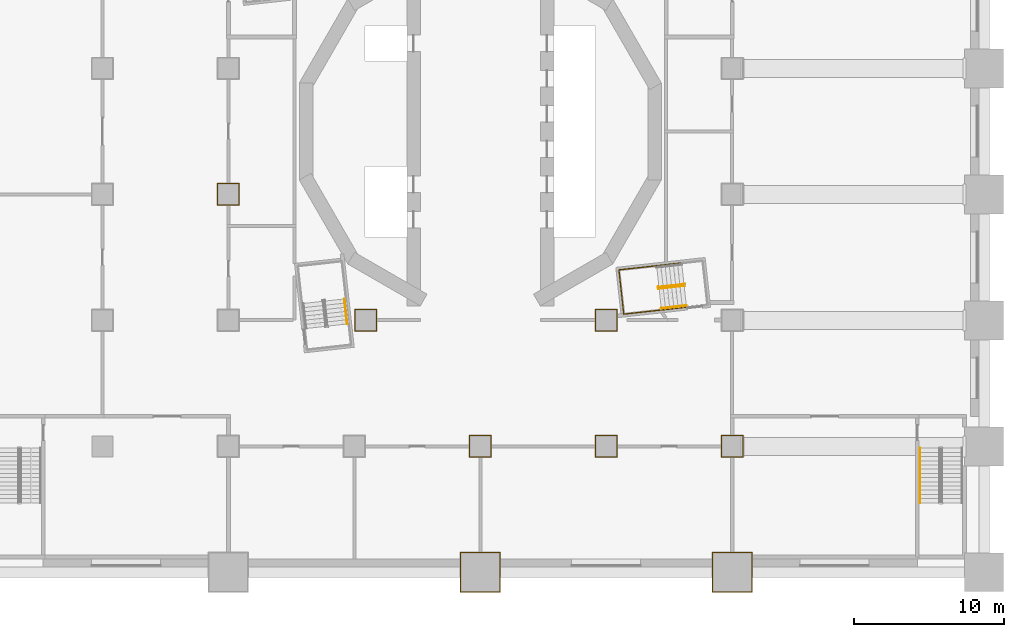
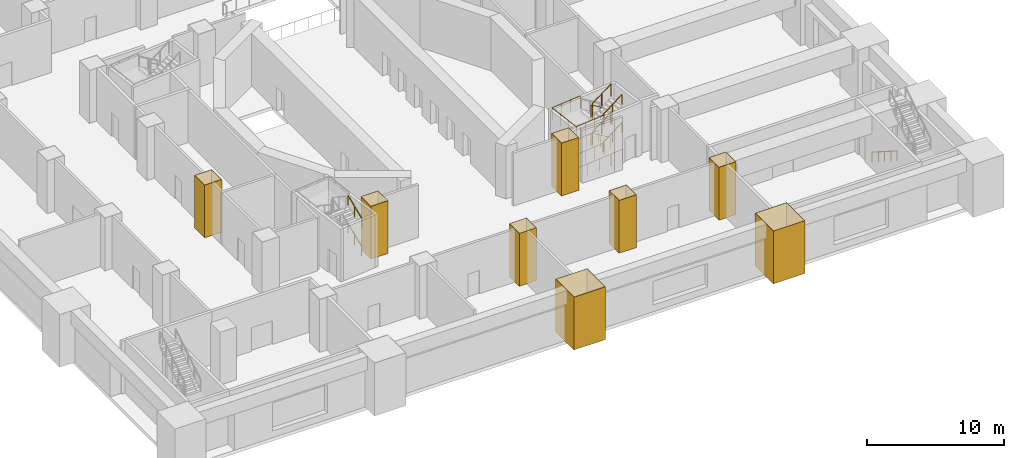
# One storey, part 10 of 17: 12 railings, 8 coverings.
"""IFC4 building model written with IfcOpenShell, lengths in metres."""

from ifc_helpers import new_model, si_unit, direction, frame, origin, origin_2d, place, context, subcontext, project, spatial, polyline, circle, outline, extrude, material, layer, layer_set, type_object, element, save


model = new_model("IFC4")

# Units and contexts
model_context = context("Model", 3, precision=1e-05, world=origin(), true_north=direction((0.0, 1.0)))
body_context = subcontext(model_context, "Body", "Model", "MODEL_VIEW")
ifc_project = project(units=[si_unit("LENGTHUNIT", "METRE"), si_unit("AREAUNIT", "SQUARE_METRE"), si_unit("VOLUMEUNIT", "CUBIC_METRE"), si_unit("PLANEANGLEUNIT", "RADIAN"), si_unit("MASSUNIT", "GRAM", prefix="KILO")], contexts=[model_context])

# Site, building, storey
site_placement = place(None, origin())
site = spatial("IfcSite", under=ifc_project, at=site_placement, CompositionType="ELEMENT")
building_placement = place(site_placement, origin())
building = spatial("IfcBuilding", under=site, at=building_placement, Name="Cantera Rosa Tower", CompositionType="ELEMENT")
storey_placement = place(building_placement, frame((0.0, 0.0, 22.0)))
storey = spatial("IfcBuildingStorey", under=building, at=storey_placement, Name="L03", CompositionType="ELEMENT", Elevation=22.0)

# Coverings
ifc_material_1 = material(Name="Plaster")
ifc_layer = layer(ifc_material_1, 0.030029296875)
ifc_layer_set = layer_set([ifc_layer], Name="Column casing 30")
covering_type = type_object("IfcCoveringType", Name="Column casing 30", PredefinedType="CLADDING", material=ifc_layer_set)
covering_1_placement = place(storey_placement, origin())
element("IfcCovering", 1, at=covering_1_placement, inside=storey, type_object=covering_type, Name="Column casing L03-008", PredefinedType="CLADDING", context=body_context, shape_type="SweptSolid", body=[
    extrude(outline(polyline([(-17.530029296875, -4.929931640625), (-16.070068359375, -4.929931640625), (-16.070068359375, -3.469970703125), (-17.530029296875, -3.469970703125), (-17.530029296875, -4.929931640625)]), holes=[polyline([(-16.10009765625, -3.5), (-17.5, -3.5), (-17.5, -4.89990234375), (-16.10009765625, -4.89990234375), (-16.10009765625, -3.5)])]), origin(), (0.0, 0.0, 1.0), 4.699951171875),
])
covering_2_placement = place(storey_placement, origin())
element("IfcCovering", 2, at=covering_2_placement, inside=storey, type_object=covering_type, Name="Column casing L03-014", PredefinedType="CLADDING", context=body_context, shape_type="SweptSolid", body=[
    extrude(outline(polyline([(-8.3798828125, -13.330078125), (-6.919921875, -13.330078125), (-6.919921875, -11.8701171875), (-8.3798828125, -11.8701171875), (-8.3798828125, -13.330078125)]), holes=[polyline([(-6.949951171875, -11.89990234375), (-8.35009765625, -11.89990234375), (-8.35009765625, -13.300048828125), (-6.949951171875, -13.300048828125), (-6.949951171875, -11.89990234375)])]), origin(), (0.0, 0.0, 1.0), 4.699951171875),
])
covering_3_placement = place(storey_placement, origin())
element("IfcCovering", 3, at=covering_3_placement, inside=storey, type_object=covering_type, Name="Column casing L03-017", PredefinedType="CLADDING", context=body_context, shape_type="SweptSolid", body=[
    extrude(outline(polyline([(-1.330078125, -30.72998046875), (1.330078125, -30.72998046875), (1.330078125, -28.070068359375), (-1.330078125, -28.070068359375), (-1.330078125, -30.72998046875)]), holes=[polyline([(1.300048828125, -28.10009765625), (-1.300048828125, -28.10009765625), (-1.300048828125, -30.699951171875), (1.300048828125, -30.699951171875), (1.300048828125, -28.10009765625)])]), origin(), (0.0, 0.0, 1.0), 4.699951171875),
])
covering_4_placement = place(storey_placement, origin())
element("IfcCovering", 4, at=covering_4_placement, inside=storey, type_object=covering_type, Name="Column casing L03-018", PredefinedType="CLADDING", context=body_context, shape_type="SweptSolid", body=[
    extrude(outline(polyline([(-0.72998046875, -21.72998046875), (0.72998046875, -21.72998046875), (0.72998046875, -20.27001953125), (-0.72998046875, -20.27001953125), (-0.72998046875, -21.72998046875)]), holes=[polyline([(0.699951171875, -20.300048828125), (-0.699951171875, -20.300048828125), (-0.699951171875, -21.699951171875), (0.699951171875, -21.699951171875), (0.699951171875, -20.300048828125)])]), origin(), (0.0, 0.0, 1.0), 4.699951171875),
])
covering_5_placement = place(storey_placement, origin())
element("IfcCovering", 5, at=covering_5_placement, inside=storey, type_object=covering_type, Name="Column casing L03-021", PredefinedType="CLADDING", context=body_context, shape_type="SweptSolid", body=[
    extrude(outline(polyline([(7.669921875, -21.72998046875), (9.1298828125, -21.72998046875), (9.1298828125, -20.27001953125), (7.669921875, -20.27001953125), (7.669921875, -21.72998046875)]), holes=[polyline([(9.10009765625, -20.300048828125), (7.699951171875, -20.300048828125), (7.699951171875, -21.699951171875), (9.10009765625, -21.699951171875), (9.10009765625, -20.300048828125)])]), origin(), (0.0, 0.0, 1.0), 4.699951171875),
])
covering_6_placement = place(storey_placement, origin())
element("IfcCovering", 6, at=covering_6_placement, inside=storey, type_object=covering_type, Name="Column casing L03-022", PredefinedType="CLADDING", context=body_context, shape_type="SweptSolid", body=[
    extrude(outline(polyline([(7.669921875, -13.330078125), (9.1298828125, -13.330078125), (9.1298828125, -11.8701171875), (7.669921875, -11.8701171875), (7.669921875, -13.330078125)]), holes=[polyline([(9.10009765625, -11.89990234375), (7.699951171875, -11.89990234375), (7.699951171875, -13.300048828125), (9.10009765625, -13.300048828125), (9.10009765625, -11.89990234375)])]), origin(), (0.0, 0.0, 1.0), 4.699951171875),
])
covering_7_placement = place(storey_placement, origin())
element("IfcCovering", 7, at=covering_7_placement, inside=storey, type_object=covering_type, Name="Column casing L03-025", PredefinedType="CLADDING", context=body_context, shape_type="SweptSolid", body=[
    extrude(outline(polyline([(15.469970703125, -30.72998046875), (18.1298828125, -30.72998046875), (18.1298828125, -28.070068359375), (15.469970703125, -28.070068359375), (15.469970703125, -30.72998046875)]), holes=[polyline([(18.10009765625, -28.10009765625), (15.5, -28.10009765625), (15.5, -30.699951171875), (18.10009765625, -30.699951171875), (18.10009765625, -28.10009765625)])]), origin(), (0.0, 0.0, 1.0), 4.699951171875),
])
covering_8_placement = place(storey_placement, origin())
element("IfcCovering", 8, at=covering_8_placement, inside=storey, type_object=covering_type, Name="Column casing L03-026", PredefinedType="CLADDING", context=body_context, shape_type="SweptSolid", body=[
    extrude(outline(polyline([(16.070068359375, -21.72998046875), (17.530029296875, -21.72998046875), (17.530029296875, -20.27001953125), (16.070068359375, -20.27001953125), (16.070068359375, -21.72998046875)]), holes=[polyline([(17.5, -20.300048828125), (16.10009765625, -20.300048828125), (16.10009765625, -21.699951171875), (17.5, -21.699951171875), (17.5, -20.300048828125)])]), origin(), (0.0, 0.0, 1.0), 4.699951171875),
])

# Railings
ifc_material_2 = material(Name="Steel S355J2 (EN 10025-2)", Category="steel")
railing_type_1 = type_object("IfcRailingType", Name="STAIR GUARD 1100", PredefinedType="GUARDRAIL", material=ifc_material_2)
railing_1_placement = place(storey_placement, frame((13.5859375, -10.19677734375, 0.178466796875)))
element("IfcRailing", 9, at=railing_1_placement, inside=storey, type_object=railing_type_1, Name="L03 ST-14 stair guard 1", PredefinedType="GUARDRAIL", context=body_context, shape_type="SweptSolid", body=[
    extrude(circle(Radius=0.02392578125, at=origin_2d()), frame((0.0, 0.0, 1.076171875), z_axis=(-0.837950904326, -0.092996744609, 0.537763784046), x_axis=(0.110303920128, -0.993897904819, 0.0)), (0.0, 0.0, 1.0), 1.99267578125),
    extrude(circle(Radius=0.02392578125, at=origin_2d()), frame((-1.669677734375, -0.185302734375, 2.1474609375), z_axis=(-0.932897555956, 0.360141847183, 0.0), x_axis=(-0.360141847183, -0.932897555956, 0.0)), (0.0, 0.0, 1.0), 0.05615234375),
    extrude(circle(Radius=0.02392578125, at=origin_2d()), frame((-1.72216796875, -0.1650390625, 2.1474609375), z_axis=(0.110610055588, -0.993863881828, 0.0), x_axis=(0.993863881828, 0.110610055588, 0.0)), (0.0, 0.0, 1.0), 0.150146484375),
    extrude(circle(Radius=0.02099609375, at=origin_2d()), origin(), (0.0, 0.0, 1.0), 1.052001953125),
    extrude(circle(Radius=0.02099609375, at=origin_2d()), frame((-0.8349609375, -0.0927734375, 0.53564453125)), (0.0, 0.0, 1.0), 1.052001953125),
    extrude(circle(Radius=0.02099609375, at=origin_2d()), frame((-1.669677734375, -0.185302734375, 1.071533203125)), (0.0, 0.0, 1.0), 1.052001953125),
    extrude(circle(Radius=0.02099609375, at=origin_2d()), frame((-1.72216796875, -0.1650390625, 1.071533203125)), (0.0, 0.0, 1.0), 1.052001953125),
    extrude(circle(Radius=0.02099609375, at=origin_2d()), frame((-1.70556640625, -0.314208984375, 1.071533203125)), (0.0, 0.0, 1.0), 1.052001953125),
])
railing_2_placement = place(storey_placement, frame((11.927001953125, -10.4794921875, 1.428466796875)))
element("IfcRailing", 10, at=railing_2_placement, inside=storey, type_object=railing_type_1, Name="L03 ST-14 stair guard 2", PredefinedType="GUARDRAIL", context=body_context, shape_type="SweptSolid", body=[
    extrude(circle(Radius=0.02392578125, at=origin_2d()), frame((0.0, 0.0, 1.076171875), z_axis=(0.837987391448, 0.092987197384, 0.537708576179), x_axis=(-0.11028798999, 0.993899672635, 0.0)), (0.0, 0.0, 1.0), 1.99267578125),
    extrude(circle(Radius=0.02392578125, at=origin_2d()), frame((1.669921875, 0.185302734375, 2.1474609375), z_axis=(0.931434406233, -0.363909256389, 0.0), x_axis=(0.363909256389, 0.931434406233, 0.0)), (0.0, 0.0, 1.0), 0.056396484375),
    extrude(circle(Radius=0.02392578125, at=origin_2d()), frame((1.722412109375, 0.164794921875, 2.1474609375), z_axis=(-0.110610055588, 0.993863881828, 0.0), x_axis=(-0.993863881828, -0.110610055588, 0.0)), (0.0, 0.0, 1.0), 0.150146484375),
    extrude(circle(Radius=0.02099609375, at=origin_2d()), origin(), (0.0, 0.0, 1.0), 1.052001953125),
    extrude(circle(Radius=0.02099609375, at=origin_2d()), frame((0.8349609375, 0.0927734375, 0.53564453125)), (0.0, 0.0, 1.0), 1.052001953125),
    extrude(circle(Radius=0.02099609375, at=origin_2d()), frame((1.669921875, 0.185302734375, 1.071533203125)), (0.0, 0.0, 1.0), 1.052001953125),
    extrude(circle(Radius=0.02099609375, at=origin_2d()), frame((1.722412109375, 0.164794921875, 1.071533203125)), (0.0, 0.0, 1.0), 1.052001953125),
    extrude(circle(Radius=0.02099609375, at=origin_2d()), frame((1.705810546875, 0.31396484375, 1.071533203125)), (0.0, 0.0, 1.0), 1.052001953125),
])
railing_3_placement = place(storey_placement, frame((13.5859375, -10.19677734375, 2.678466796875)))
element("IfcRailing", 11, at=railing_3_placement, inside=storey, type_object=railing_type_1, Name="L03 ST-14 stair guard 3", PredefinedType="GUARDRAIL", context=body_context, shape_type="SweptSolid", body=[
    extrude(circle(Radius=0.02392578125, at=origin_2d()), frame((0.0, 0.0, 1.076171875), z_axis=(-0.837950904326, -0.092996744609, 0.537763784046), x_axis=(0.110303920128, -0.993897904819, 0.0)), (0.0, 0.0, 1.0), 1.99267578125),
    extrude(circle(Radius=0.02392578125, at=origin_2d()), frame((-1.669677734375, -0.185302734375, 2.1474609375), z_axis=(-0.932897555956, 0.360141847183, 0.0), x_axis=(-0.360141847183, -0.932897555956, 0.0)), (0.0, 0.0, 1.0), 0.05615234375),
    extrude(circle(Radius=0.02392578125, at=origin_2d()), frame((-1.72216796875, -0.1650390625, 2.1474609375), z_axis=(0.110610055588, -0.993863881828, 0.0), x_axis=(0.993863881828, 0.110610055588, 0.0)), (0.0, 0.0, 1.0), 0.150146484375),
    extrude(circle(Radius=0.02099609375, at=origin_2d()), origin(), (0.0, 0.0, 1.0), 1.052001953125),
    extrude(circle(Radius=0.02099609375, at=origin_2d()), frame((-0.8349609375, -0.0927734375, 0.53564453125)), (0.0, 0.0, 1.0), 1.052001953125),
    extrude(circle(Radius=0.02099609375, at=origin_2d()), frame((-1.669677734375, -0.185302734375, 1.071533203125)), (0.0, 0.0, 1.0), 1.052001953125),
    extrude(circle(Radius=0.02099609375, at=origin_2d()), frame((-1.72216796875, -0.1650390625, 1.071533203125)), (0.0, 0.0, 1.0), 1.052001953125),
    extrude(circle(Radius=0.02099609375, at=origin_2d()), frame((-1.70556640625, -0.314208984375, 1.071533203125)), (0.0, 0.0, 1.0), 1.052001953125),
])
railing_4_placement = place(storey_placement, frame((11.927001953125, -10.4794921875, 3.928466796875)))
element("IfcRailing", 12, at=railing_4_placement, inside=storey, type_object=railing_type_1, Name="L03 ST-14 stair guard 4", PredefinedType="GUARDRAIL", context=body_context, shape_type="SweptSolid", body=[
    extrude(circle(Radius=0.02392578125, at=origin_2d()), frame((0.0, 0.0, 1.076171875), z_axis=(0.837987391448, 0.092987197384, 0.537708576179), x_axis=(-0.11028798999, 0.993899672635, 0.0)), (0.0, 0.0, 1.0), 1.99267578125),
    extrude(circle(Radius=0.02099609375, at=origin_2d()), origin(), (0.0, 0.0, 1.0), 1.052001953125),
    extrude(circle(Radius=0.02099609375, at=origin_2d()), frame((0.8349609375, 0.0927734375, 0.53564453125)), (0.0, 0.0, 1.0), 1.052001953125),
    extrude(circle(Radius=0.02099609375, at=origin_2d()), frame((1.669921875, 0.185302734375, 1.071533203125)), (0.0, 0.0, 1.0), 1.052001953125),
])
railing_5_placement = place(storey_placement, frame((13.415771484375, -8.77099609375, 0.0)))
element("IfcRailing", 13, at=railing_5_placement, inside=storey, type_object=railing_type_1, Name="L03 ST-14 stair guard 6", PredefinedType="GUARDRAIL", context=body_context, shape_type="SweptSolid", body=[
    extrude(circle(Radius=0.02392578125, at=origin_2d()), frame((0.0, 0.0, 1.076171875), z_axis=(-0.9938957856, -0.110323013767, 0.0), x_axis=(0.110323013767, -0.9938957856, 0.0)), (0.0, 0.0, 1.0), 4.197998046875),
    extrude(circle(Radius=0.02392578125, at=origin_2d()), frame((-4.17236328125, -0.463134765625, 1.076171875), z_axis=(0.110314237986, -0.993896759678, 0.0), x_axis=(0.993896759678, 0.110314237986, 0.0)), (0.0, 0.0, 1.0), 2.969970703125),
    extrude(circle(Radius=0.02392578125, at=origin_2d()), frame((-3.8447265625, -3.4150390625, 1.076171875), z_axis=(0.9938957856, 0.110323013767, 0.0), x_axis=(-0.110323013767, 0.9938957856, 0.0)), (0.0, 0.0, 1.0), 4.197998046875),
    extrude(circle(Radius=0.02099609375, at=origin_2d()), origin(), (0.0, 0.0, 1.0), 1.052001953125),
    extrude(circle(Radius=0.02099609375, at=origin_2d()), frame((-1.04296875, -0.11572265625, 0.0)), (0.0, 0.0, 1.0), 1.052001953125),
    extrude(circle(Radius=0.02099609375, at=origin_2d()), frame((-2.086181640625, -0.2314453125, 0.0)), (0.0, 0.0, 1.0), 1.052001953125),
    extrude(circle(Radius=0.02099609375, at=origin_2d()), frame((-3.12939453125, -0.347412109375, 0.0)), (0.0, 0.0, 1.0), 1.052001953125),
    extrude(circle(Radius=0.02099609375, at=origin_2d()), frame((-4.17236328125, -0.463134765625, 0.0)), (0.0, 0.0, 1.0), 1.052001953125),
    extrude(circle(Radius=0.02099609375, at=origin_2d()), frame((-4.063232421875, -1.447021484375, 0.0)), (0.0, 0.0, 1.0), 1.052001953125),
    extrude(circle(Radius=0.02099609375, at=origin_2d()), frame((-3.953857421875, -2.43115234375, 0.0)), (0.0, 0.0, 1.0), 1.052001953125),
    extrude(circle(Radius=0.02099609375, at=origin_2d()), frame((-3.8447265625, -3.4150390625, 0.0)), (0.0, 0.0, 1.0), 1.052001953125),
    extrude(circle(Radius=0.02099609375, at=origin_2d()), frame((-2.8017578125, -3.29931640625, 0.0)), (0.0, 0.0, 1.0), 1.052001953125),
    extrude(circle(Radius=0.02099609375, at=origin_2d()), frame((-1.758544921875, -3.18359375, 0.0)), (0.0, 0.0, 1.0), 1.052001953125),
    extrude(circle(Radius=0.02099609375, at=origin_2d()), frame((-0.71533203125, -3.067626953125, 0.0)), (0.0, 0.0, 1.0), 1.052001953125),
    extrude(circle(Radius=0.02099609375, at=origin_2d()), frame((0.32763671875, -2.951904296875, 0.0)), (0.0, 0.0, 1.0), 1.052001953125),
])
railing_6_placement = place(storey_placement, frame((11.769775390625, -8.95361328125, 1.25)))
element("IfcRailing", 14, at=railing_6_placement, inside=storey, type_object=railing_type_1, Name="L03 ST-14 stair guard 7", PredefinedType="GUARDRAIL", context=body_context, shape_type="SweptSolid", body=[
    extrude(circle(Radius=0.02392578125, at=origin_2d()), frame((0.0, 0.0, 1.076171875), z_axis=(-0.993891931048, -0.110357733743, 0.0), x_axis=(0.110357733743, -0.993891931048, 0.0)), (0.0, 0.0, 1.0), 2.5419921875),
    extrude(circle(Radius=0.02392578125, at=origin_2d()), frame((-2.5263671875, -0.280517578125, 1.076171875), z_axis=(0.110314237986, -0.993896759678, 0.0), x_axis=(0.993896759678, 0.110314237986, 0.0)), (0.0, 0.0, 1.0), 2.969970703125),
    extrude(circle(Radius=0.02392578125, at=origin_2d()), frame((-2.19873046875, -3.232421875, 1.076171875), z_axis=(0.993891931048, 0.110357733743, 0.0), x_axis=(-0.110357733743, 0.993891931048, 0.0)), (0.0, 0.0, 1.0), 2.5419921875),
    extrude(circle(Radius=0.02099609375, at=origin_2d()), origin(), (0.0, 0.0, 1.0), 1.052001953125),
    extrude(circle(Radius=0.02099609375, at=origin_2d()), frame((-0.842041015625, -0.093505859375, 0.0)), (0.0, 0.0, 1.0), 1.052001953125),
    extrude(circle(Radius=0.02099609375, at=origin_2d()), frame((-1.684326171875, -0.18701171875, 0.0)), (0.0, 0.0, 1.0), 1.052001953125),
    extrude(circle(Radius=0.02099609375, at=origin_2d()), frame((-2.5263671875, -0.280517578125, 0.0)), (0.0, 0.0, 1.0), 1.052001953125),
    extrude(circle(Radius=0.02099609375, at=origin_2d()), frame((-2.417236328125, -1.264404296875, 0.0)), (0.0, 0.0, 1.0), 1.052001953125),
    extrude(circle(Radius=0.02099609375, at=origin_2d()), frame((-2.307861328125, -2.24853515625, 0.0)), (0.0, 0.0, 1.0), 1.052001953125),
    extrude(circle(Radius=0.02099609375, at=origin_2d()), frame((-2.19873046875, -3.232421875, 0.0)), (0.0, 0.0, 1.0), 1.052001953125),
    extrude(circle(Radius=0.02099609375, at=origin_2d()), frame((-1.356689453125, -3.138916015625, 0.0)), (0.0, 0.0, 1.0), 1.052001953125),
    extrude(circle(Radius=0.02099609375, at=origin_2d()), frame((-0.514404296875, -3.04541015625, 0.0)), (0.0, 0.0, 1.0), 1.052001953125),
    extrude(circle(Radius=0.02099609375, at=origin_2d()), frame((0.32763671875, -2.951904296875, 0.0)), (0.0, 0.0, 1.0), 1.052001953125),
])
railing_7_placement = place(storey_placement, frame((11.769775390625, -8.95361328125, 3.75)))
element("IfcRailing", 15, at=railing_7_placement, inside=storey, type_object=railing_type_1, Name="L03 ST-14 stair guard 9", PredefinedType="GUARDRAIL", context=body_context, shape_type="SweptSolid", body=[
    extrude(circle(Radius=0.02392578125, at=origin_2d()), frame((0.0, 0.0, 1.076171875), z_axis=(-0.993891931048, -0.110357733743, 0.0), x_axis=(0.110357733743, -0.993891931048, 0.0)), (0.0, 0.0, 1.0), 2.5419921875),
    extrude(circle(Radius=0.02392578125, at=origin_2d()), frame((-2.5263671875, -0.280517578125, 1.076171875), z_axis=(0.110314237986, -0.993896759678, 0.0), x_axis=(0.993896759678, 0.110314237986, 0.0)), (0.0, 0.0, 1.0), 2.969970703125),
    extrude(circle(Radius=0.02392578125, at=origin_2d()), frame((-2.19873046875, -3.232421875, 1.076171875), z_axis=(0.993891931048, 0.110357733743, 0.0), x_axis=(-0.110357733743, 0.993891931048, 0.0)), (0.0, 0.0, 1.0), 2.5419921875),
    extrude(circle(Radius=0.02099609375, at=origin_2d()), origin(), (0.0, 0.0, 1.0), 1.052001953125),
    extrude(circle(Radius=0.02099609375, at=origin_2d()), frame((-0.842041015625, -0.093505859375, 0.0)), (0.0, 0.0, 1.0), 1.052001953125),
    extrude(circle(Radius=0.02099609375, at=origin_2d()), frame((-1.684326171875, -0.18701171875, 0.0)), (0.0, 0.0, 1.0), 1.052001953125),
    extrude(circle(Radius=0.02099609375, at=origin_2d()), frame((-2.5263671875, -0.280517578125, 0.0)), (0.0, 0.0, 1.0), 1.052001953125),
    extrude(circle(Radius=0.02099609375, at=origin_2d()), frame((-2.417236328125, -1.264404296875, 0.0)), (0.0, 0.0, 1.0), 1.052001953125),
    extrude(circle(Radius=0.02099609375, at=origin_2d()), frame((-2.307861328125, -2.24853515625, 0.0)), (0.0, 0.0, 1.0), 1.052001953125),
    extrude(circle(Radius=0.02099609375, at=origin_2d()), frame((-2.19873046875, -3.232421875, 0.0)), (0.0, 0.0, 1.0), 1.052001953125),
    extrude(circle(Radius=0.02099609375, at=origin_2d()), frame((-1.356689453125, -3.138916015625, 0.0)), (0.0, 0.0, 1.0), 1.052001953125),
    extrude(circle(Radius=0.02099609375, at=origin_2d()), frame((-0.514404296875, -3.04541015625, 0.0)), (0.0, 0.0, 1.0), 1.052001953125),
    extrude(circle(Radius=0.02099609375, at=origin_2d()), frame((0.32763671875, -2.951904296875, 0.0)), (0.0, 0.0, 1.0), 1.052001953125),
])
ifc_material_3 = material(Name="Steel S355J2 (EN 10025-2)", Category="steel")
railing_type_2 = type_object("IfcRailingType", Name="STAIR HANDRAIL 900", PredefinedType="HANDRAIL", material=ifc_material_3)
for number, where, name in (
    (16, (-8.87890625, -12.83984375, 0.178466796875), "L03 ST-13 stair handrail 1"),
    (17, (-8.87890625, -12.83984375, 2.678466796875), "L03 ST-13 stair handrail 3"),
):
    element("IfcRailing", number, at=place(storey_placement, frame(where)), inside=storey, type_object=railing_type_2, Name=name, PredefinedType="HANDRAIL", context=body_context, shape_type="SweptSolid", body=[
        extrude(circle(Radius=0.02392578125, at=origin_2d()), frame((0.0, 0.0, 0.8759765625), z_axis=(-0.092987197384, 0.837987391448, 0.537708576179), x_axis=(-0.993899672635, -0.11028798999, 0.0)), (0.0, 0.0, 1.0), 1.99267578125),
        extrude(circle(Radius=0.02099609375, at=origin_2d()), origin(), (0.0, 0.0, 1.0), 0.851806640625),
        extrude(circle(Radius=0.02099609375, at=origin_2d()), frame((-0.0927734375, 0.8349609375, 0.53564453125)), (0.0, 0.0, 1.0), 0.851806640625),
        extrude(circle(Radius=0.02099609375, at=origin_2d()), frame((-0.185302734375, 1.669921875, 1.071533203125)), (0.0, 0.0, 1.0), 0.851806640625),
    ])
for number, where, name in (
    (18, (12.073486328125, -11.797607421875, 1.428466796875), "L03 ST-14 stair handrail 2"),
    (19, (12.073486328125, -11.797607421875, 3.928466796875), "L03 ST-14 stair handrail 4"),
):
    element("IfcRailing", number, at=place(storey_placement, frame(where)), inside=storey, type_object=railing_type_2, Name=name, PredefinedType="HANDRAIL", context=body_context, shape_type="SweptSolid", body=[
        extrude(circle(Radius=0.02392578125, at=origin_2d()), frame((0.0, 0.0, 0.8759765625), z_axis=(0.837941350202, 0.09311820824, 0.537757652586), x_axis=(-0.110447476434, 0.993881962282, 0.0)), (0.0, 0.0, 1.0), 1.99267578125),
        extrude(circle(Radius=0.02099609375, at=origin_2d()), origin(), (0.0, 0.0, 1.0), 0.851806640625),
        extrude(circle(Radius=0.02099609375, at=origin_2d()), frame((0.8349609375, 0.0927734375, 0.53564453125)), (0.0, 0.0, 1.0), 0.851806640625),
        extrude(circle(Radius=0.02099609375, at=origin_2d()), frame((1.669677734375, 0.185546875, 1.071533203125)), (0.0, 0.0, 1.0), 0.851806640625),
    ])
railing_8_placement = place(storey_placement, frame((29.324951171875, -21.125, 0.178466796875)))
element("IfcRailing", 20, at=railing_8_placement, inside=storey, type_object=railing_type_2, Name="L03 ST-SE stair handrail 1", PredefinedType="HANDRAIL", context=body_context, shape_type="SweptSolid", body=[
    extrude(circle(Radius=0.02392578125, at=origin_2d()), frame((0.0, 0.0, 0.8759765625), z_axis=(0.0, -0.843111507901, 0.53773877045), x_axis=(1.0, 0.0, 0.0)), (0.0, 0.0, 1.0), 4.317138671875),
    extrude(circle(Radius=0.02099609375, at=origin_2d()), origin(), (0.0, 0.0, 1.0), 0.851806640625),
    extrude(circle(Radius=0.02099609375, at=origin_2d()), frame((0.0, -0.909912109375, 0.580322265625)), (0.0, 0.0, 1.0), 0.851806640625),
    extrude(circle(Radius=0.02099609375, at=origin_2d()), frame((0.0, -1.81982421875, 1.16064453125)), (0.0, 0.0, 1.0), 0.851806640625),
    extrude(circle(Radius=0.02099609375, at=origin_2d()), frame((0.0, -2.72998046875, 1.7412109375)), (0.0, 0.0, 1.0), 0.851806640625),
    extrude(circle(Radius=0.02099609375, at=origin_2d()), frame((0.0, -3.639892578125, 2.321533203125)), (0.0, 0.0, 1.0), 0.851806640625),
])

save(model, "model.ifc")
